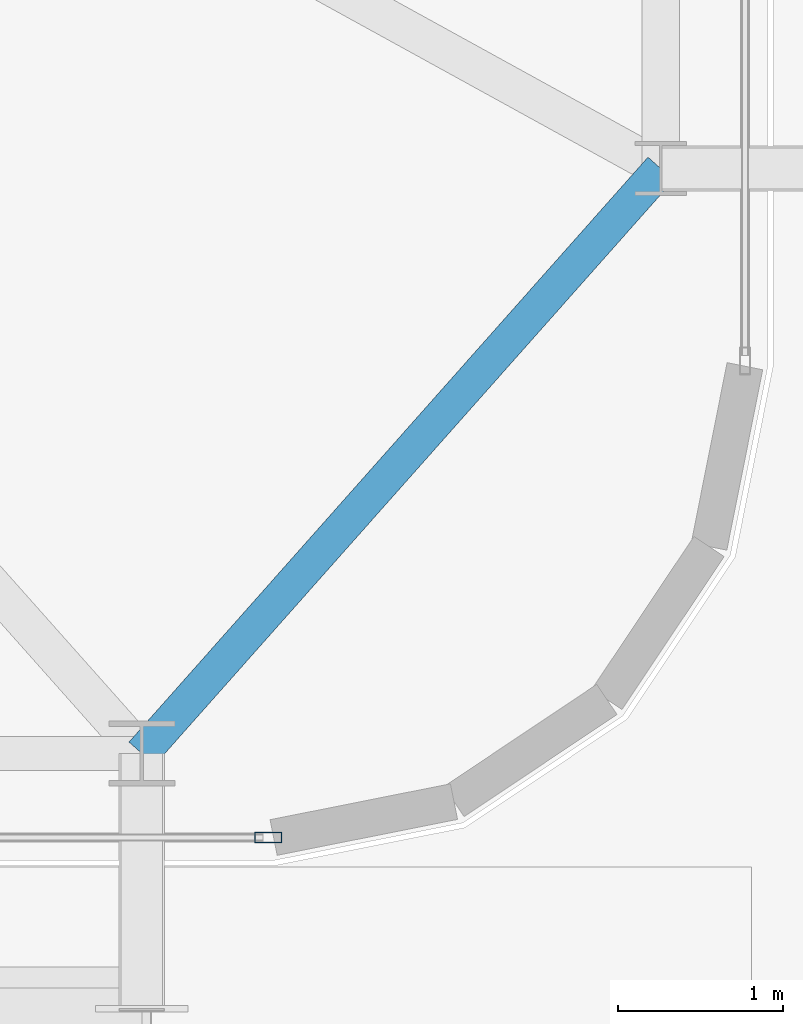
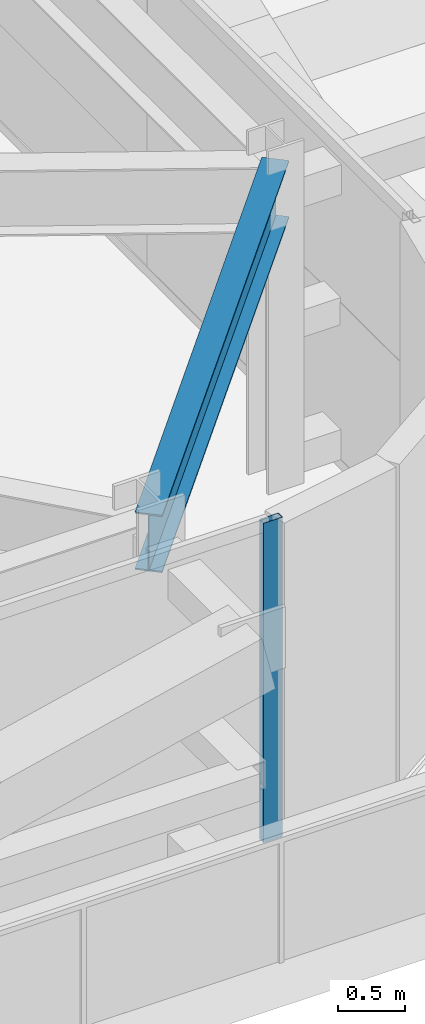
# One storey, part 23 of 56: 1 beam, 1 member, 1 element without a shape of its own.
"""IFC4 building model written with IfcOpenShell, lengths in metres."""

from ifc_helpers import new_model, si_unit, direction, frame, origin, origin_2d, place, context, subcontext, project, spatial, hollow_rectangle, i_section, extrude, source, transform, mapped, material, layer, layer_set, material_profile, profile_set, type_object, element, aggregate, save


model = new_model("IFC4")

# Units and contexts
model_context = context("Model", 3, precision=1e-05, world=origin(), true_north=direction((0.0, 1.0)))
body_context = subcontext(model_context, "Body", "Model", "MODEL_VIEW")
ifc_project = project(units=[si_unit("LENGTHUNIT", "METRE"), si_unit("AREAUNIT", "SQUARE_METRE"), si_unit("VOLUMEUNIT", "CUBIC_METRE"), si_unit("PLANEANGLEUNIT", "RADIAN"), si_unit("MASSUNIT", "GRAM", prefix="KILO")], contexts=[model_context])

# Site, building, storey
site_placement = place(None, origin())
site = spatial("IfcSite", under=ifc_project, at=site_placement, CompositionType="ELEMENT")
building_placement = place(site_placement, origin())
building = spatial("IfcBuilding", under=site, at=building_placement, Name="Taldren Reach Tower", CompositionType="ELEMENT")
storey_placement = place(building_placement, frame((0.0, 0.0, 16.800048828125)))
storey = spatial("IfcBuildingStorey", under=building, at=storey_placement, Name="L04", CompositionType="ELEMENT", Elevation=16.800048828125)

# Beam
ifc_material_1 = material(Name="Steel Gr 350 (350PLUS)", Category="steel")
ifc_material_profile_1 = material_profile(ifc_material_1, i_section(OverallWidth=0.208984375, OverallDepth=0.528076171875, WebThickness=0.009521484375, FlangeThickness=0.01318359375, at=origin_2d()), Name="530UB82.0")
ifc_profile_set_1 = profile_set([ifc_material_profile_1], Name="Steel Gr 350 (350PLUS)")
beam_type = type_object("IfcBeamType", Name="SP-UB530B", PredefinedType="SPANDREL", material=ifc_profile_set_1)
shared_shape_1 = source(origin(), body_context, "Body", "SweptSolid", [
    extrude(i_section(OverallWidth=0.208984375, OverallDepth=0.528076171875, WebThickness=0.009521484375, FlangeThickness=0.01318359375, at=origin_2d()), origin(), (0.0, 0.0, 1.0), 4.74609375),
])
beam_placement = place(storey_placement, frame((61.199951171875, 2.14990234375, 2.666015625), z_axis=(0.663721843779, 0.747979487747, 0.0), x_axis=(-0.747979487747, 0.663721843779, 0.0)))
element("IfcBeam", 1, at=beam_placement, inside=storey, type_object=beam_type, Name="Perimeter spandrel B1 S6-E1 L04", PredefinedType="SPANDREL", context=body_context, shape_type="MappedRepresentation", body=[
    mapped(shared_shape_1, transform((0.0, 0.0, 0.0), scale=1.0)),
])

# Curtain wall, member
ifc_material_2 = material(Name="Aluminium and Low-E Glass Unitised System", Category="aluminium")
ifc_layer = layer(ifc_material_2, 0.159912109375)
ifc_layer_set = layer_set([ifc_layer], Name="Aluminium and Low-E Glass Unitised System")
curtain_wall_type = type_object("IfcCurtainWallType", Name="CW-SYS-2", PredefinedType="NOTDEFINED", material=ifc_layer_set)
curtain_wall_placement = place(storey_placement, origin())
curtain_wall = element("IfcCurtainWall", 2, at=curtain_wall_placement, inside=storey, type_object=curtain_wall_type, Name="Unitised curtain wall CW-L04-S", PredefinedType="NOTDEFINED")
ifc_material_3 = material(Name="Anodised Aluminium 6063-T6", Category="aluminium")
ifc_material_profile_2 = material_profile(ifc_material_3, hollow_rectangle(XDim=0.06494140625, YDim=0.1650390625, WallThickness=0.00390625, at=origin_2d()), Name="ALU-165x65x4RHS")
ifc_profile_set_2 = profile_set([ifc_material_profile_2], Name="Anodised Aluminium 6063-T6")
member_type = type_object("IfcMemberType", Name="CW-MUL-165", PredefinedType="MULLION", material=ifc_profile_set_2)
shared_shape_2 = source(origin(), body_context, "Body", "SweptSolid", [
    extrude(hollow_rectangle(XDim=0.06494140625, YDim=0.1650390625, WallThickness=0.00390625, at=origin_2d()), origin(), (0.0, 0.0, 1.0), 2.929931640625),
])
member_placement = place(storey_placement, frame((61.967529296875, 1.639892578125, 0.0), z_axis=(0.0, 0.0, 1.0), x_axis=(0.0, 1.0, 0.0)))
member = element("IfcMember", 3, at=member_placement, type_object=member_type, Name="CW-2 mullion 6", PredefinedType="MULLION", context=body_context, shape_type="MappedRepresentation", body=[
    mapped(shared_shape_2, transform((0.0, 0.0, 0.0), scale=1.0)),
])
aggregate(curtain_wall, [member])

save(model, "model.ifc")
